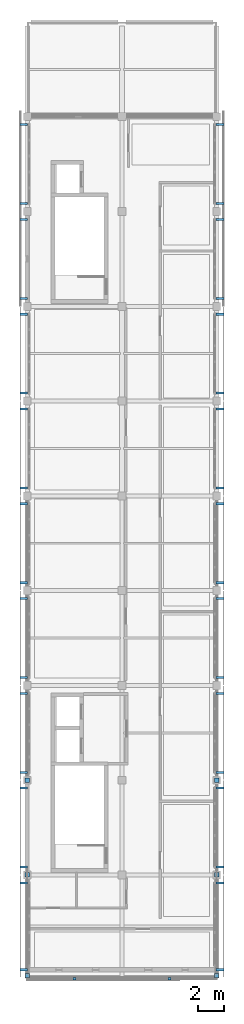
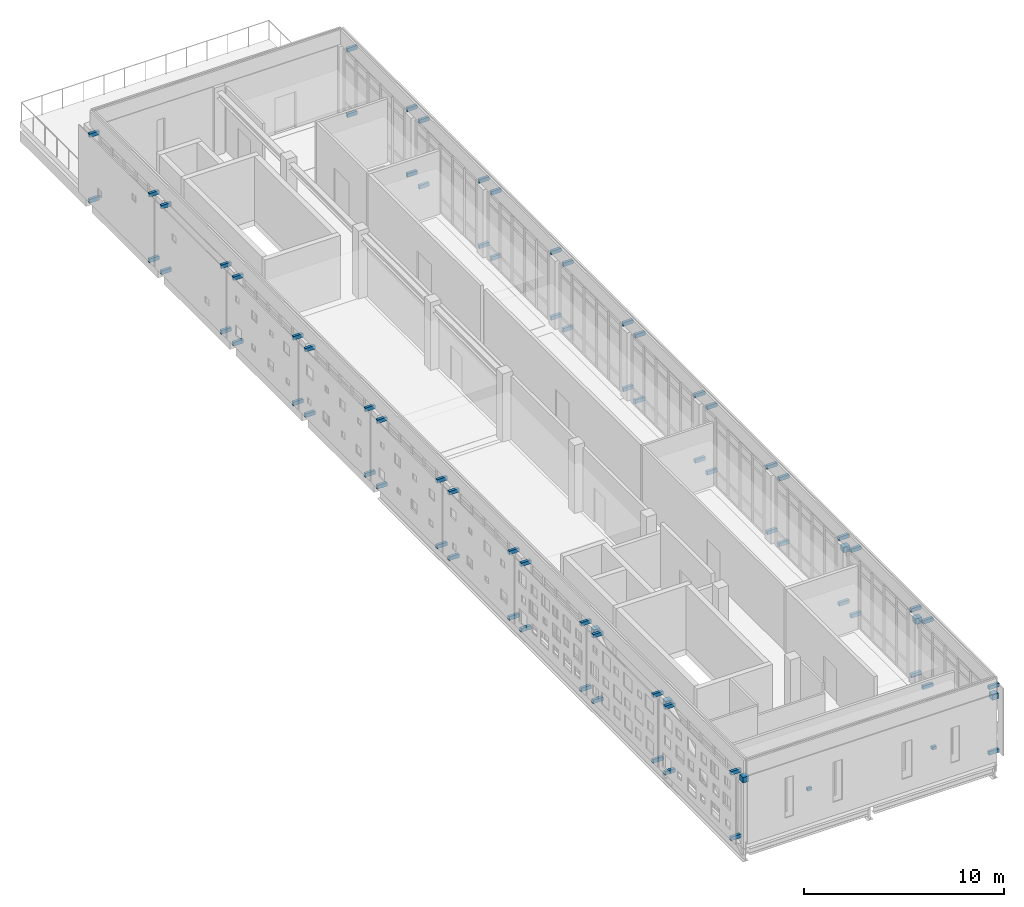
# One storey, part 17 of 19: 80 discrete accessories.
"""IFC4 building model written with IfcOpenShell, lengths in metres."""

from ifc_helpers import new_model, si_unit, direction, frame, origin, origin_2d, place, context, subcontext, project, spatial, rectangle, extrude, material, type_object, element, save


model = new_model("IFC4")

# Units and contexts
model_context = context("Model", 3, precision=1e-05, world=origin(), true_north=direction((0.0, 1.0)))
body_context = subcontext(model_context, "Body", "Model", "MODEL_VIEW")
ifc_project = project(units=[si_unit("LENGTHUNIT", "METRE"), si_unit("AREAUNIT", "SQUARE_METRE"), si_unit("VOLUMEUNIT", "CUBIC_METRE"), si_unit("PLANEANGLEUNIT", "RADIAN"), si_unit("MASSUNIT", "GRAM", prefix="KILO")], contexts=[model_context])

# Site, building, storey
site_placement = place(None, origin())
site = spatial("IfcSite", under=ifc_project, at=site_placement, CompositionType="ELEMENT")
building_placement = place(site_placement, origin())
building = spatial("IfcBuilding", under=site, at=building_placement, Name="Valkovuoma Quantum and Materials Research Institute", CompositionType="ELEMENT")
storey_placement = place(building_placement, frame((0.0, 0.0, 38.080078125)))
storey = spatial("IfcBuildingStorey", under=building, at=storey_placement, Name="L09", CompositionType="ELEMENT", Elevation=38.080078125)

# Discrete accessories
ifc_material_1 = material(Name="Steel S355J2", Category="steel")
discrete_accessory_type_1 = type_object("IfcDiscreteAccessoryType", Name="Brk-BRK-01", PredefinedType="BRACKET", material=ifc_material_1)
for number, where, z_axis, x_axis, name in (
    (1, (3.60009765625, 20.919921875, 1.98974609375), (0.0, 0.0, 1.0), (0.0, 1.0, 0.0), "L09 south end skin bracket 1"),
    (2, (10.800048828125, 20.919921875, 1.98974609375), (0.0, 0.0, 1.0), (0.0, 1.0, 0.0), "L09 south end skin bracket 2"),
):
    element("IfcDiscreteAccessory", number, at=place(storey_placement, frame(where, z_axis=z_axis, x_axis=x_axis)), inside=storey, type_object=discrete_accessory_type_1, Name=name, PredefinedType="BRACKET", context=body_context, shape_type="SweptSolid", body=[
        extrude(rectangle(XDim=0.159912109375, YDim=0.239990234375, at=origin_2d()), origin(), (0.0, 0.0, 1.0), 0.179931640625),
    ])
for number, where, z_axis, x_axis, name in (
    (3, (-0.25, 21.60009765625, -0.0302734375), (0.0, 0.0, 1.0), (1.0, 0.0, 0.0), "L09 screen bracket 00541"),
    (4, (-0.25, 28.199951171875, -0.0302734375), (0.0, 0.0, 1.0), (1.0, 0.0, 0.0), "L09 screen bracket 00542"),
    (5, (-0.25, 21.60009765625, 3.9697265625), (0.0, 0.0, 1.0), (1.0, 0.0, 0.0), "L09 screen bracket 00543"),
    (6, (-0.25, 28.199951171875, 3.9697265625), (0.0, 0.0, 1.0), (1.0, 0.0, 0.0), "L09 screen bracket 00544"),
    (7, (14.64990234375, 21.60009765625, -0.0302734375), (0.0, 0.0, 1.0), (1.0, 0.0, 0.0), "L09 screen bracket 00545"),
    (8, (14.64990234375, 28.199951171875, -0.0302734375), (0.0, 0.0, 1.0), (1.0, 0.0, 0.0), "L09 screen bracket 00546"),
    (9, (14.64990234375, 21.60009765625, 3.9697265625), (0.0, 0.0, 1.0), (1.0, 0.0, 0.0), "L09 screen bracket 00547"),
    (10, (14.64990234375, 28.199951171875, 3.9697265625), (0.0, 0.0, 1.0), (1.0, 0.0, 0.0), "L09 screen bracket 00548"),
    (11, (-0.25, 29.39990234375, -0.0302734375), (0.0, 0.0, 1.0), (1.0, 0.0, 0.0), "L09 screen bracket 00549"),
    (12, (-0.25, 35.39990234375, -0.0302734375), (0.0, 0.0, 1.0), (1.0, 0.0, 0.0), "L09 screen bracket 00550"),
    (13, (-0.25, 29.39990234375, 3.9697265625), (0.0, 0.0, 1.0), (1.0, 0.0, 0.0), "L09 screen bracket 00551"),
    (14, (-0.25, 35.39990234375, 3.9697265625), (0.0, 0.0, 1.0), (1.0, 0.0, 0.0), "L09 screen bracket 00552"),
    (15, (14.64990234375, 29.39990234375, -0.0302734375), (0.0, 0.0, 1.0), (1.0, 0.0, 0.0), "L09 screen bracket 00553"),
    (16, (14.64990234375, 35.39990234375, -0.0302734375), (0.0, 0.0, 1.0), (1.0, 0.0, 0.0), "L09 screen bracket 00554"),
    (17, (14.64990234375, 29.39990234375, 3.9697265625), (0.0, 0.0, 1.0), (1.0, 0.0, 0.0), "L09 screen bracket 00555"),
    (18, (14.64990234375, 35.39990234375, 3.9697265625), (0.0, 0.0, 1.0), (1.0, 0.0, 0.0), "L09 screen bracket 00556"),
    (19, (-0.25, 36.60009765625, -0.0302734375), (0.0, 0.0, 1.0), (1.0, 0.0, 0.0), "L09 screen bracket 00557"),
    (20, (-0.25, 42.60009765625, -0.0302734375), (0.0, 0.0, 1.0), (1.0, 0.0, 0.0), "L09 screen bracket 00558"),
    (21, (-0.25, 36.60009765625, 3.9697265625), (0.0, 0.0, 1.0), (1.0, 0.0, 0.0), "L09 screen bracket 00559"),
    (22, (-0.25, 42.60009765625, 3.9697265625), (0.0, 0.0, 1.0), (1.0, 0.0, 0.0), "L09 screen bracket 00560"),
    (23, (14.64990234375, 36.60009765625, -0.0302734375), (0.0, 0.0, 1.0), (1.0, 0.0, 0.0), "L09 screen bracket 00561"),
    (24, (14.64990234375, 42.60009765625, -0.0302734375), (0.0, 0.0, 1.0), (1.0, 0.0, 0.0), "L09 screen bracket 00562"),
    (25, (14.64990234375, 36.60009765625, 3.9697265625), (0.0, 0.0, 1.0), (1.0, 0.0, 0.0), "L09 screen bracket 00563"),
    (26, (14.64990234375, 42.60009765625, 3.9697265625), (0.0, 0.0, 1.0), (1.0, 0.0, 0.0), "L09 screen bracket 00564"),
    (27, (-0.25, 43.800048828125, -0.0302734375), (0.0, 0.0, 1.0), (1.0, 0.0, 0.0), "L09 screen bracket 00565"),
    (28, (-0.25, 49.800048828125, -0.0302734375), (0.0, 0.0, 1.0), (1.0, 0.0, 0.0), "L09 screen bracket 00566"),
    (29, (-0.25, 43.800048828125, 3.9697265625), (0.0, 0.0, 1.0), (1.0, 0.0, 0.0), "L09 screen bracket 00567"),
    (30, (-0.25, 49.800048828125, 3.9697265625), (0.0, 0.0, 1.0), (1.0, 0.0, 0.0), "L09 screen bracket 00568"),
    (31, (14.64990234375, 43.800048828125, -0.0302734375), (0.0, 0.0, 1.0), (1.0, 0.0, 0.0), "L09 screen bracket 00569"),
    (32, (14.64990234375, 49.800048828125, -0.0302734375), (0.0, 0.0, 1.0), (1.0, 0.0, 0.0), "L09 screen bracket 00570"),
    (33, (14.64990234375, 43.800048828125, 3.9697265625), (0.0, 0.0, 1.0), (1.0, 0.0, 0.0), "L09 screen bracket 00571"),
    (34, (14.64990234375, 49.800048828125, 3.9697265625), (0.0, 0.0, 1.0), (1.0, 0.0, 0.0), "L09 screen bracket 00572"),
    (35, (-0.25, 51.0, -0.0302734375), (0.0, 0.0, 1.0), (1.0, 0.0, 0.0), "L09 screen bracket 00573"),
    (36, (-0.25, 57.0, -0.0302734375), (0.0, 0.0, 1.0), (1.0, 0.0, 0.0), "L09 screen bracket 00574"),
    (37, (-0.25, 51.0, 3.9697265625), (0.0, 0.0, 1.0), (1.0, 0.0, 0.0), "L09 screen bracket 00575"),
    (38, (-0.25, 57.0, 3.9697265625), (0.0, 0.0, 1.0), (1.0, 0.0, 0.0), "L09 screen bracket 00576"),
    (39, (14.64990234375, 51.0, -0.0302734375), (0.0, 0.0, 1.0), (1.0, 0.0, 0.0), "L09 screen bracket 00577"),
    (40, (14.64990234375, 57.0, -0.0302734375), (0.0, 0.0, 1.0), (1.0, 0.0, 0.0), "L09 screen bracket 00578"),
    (41, (14.64990234375, 51.0, 3.9697265625), (0.0, 0.0, 1.0), (1.0, 0.0, 0.0), "L09 screen bracket 00579"),
    (42, (14.64990234375, 57.0, 3.9697265625), (0.0, 0.0, 1.0), (1.0, 0.0, 0.0), "L09 screen bracket 00580"),
    (43, (-0.25, 58.199951171875, -0.0302734375), (0.0, 0.0, 1.0), (1.0, 0.0, 0.0), "L09 screen bracket 00581"),
    (44, (-0.25, 64.199951171875, -0.0302734375), (0.0, 0.0, 1.0), (1.0, 0.0, 0.0), "L09 screen bracket 00582"),
    (45, (-0.25, 58.199951171875, 3.9697265625), (0.0, 0.0, 1.0), (1.0, 0.0, 0.0), "L09 screen bracket 00583"),
    (46, (-0.25, 64.199951171875, 3.9697265625), (0.0, 0.0, 1.0), (1.0, 0.0, 0.0), "L09 screen bracket 00584"),
    (47, (14.64990234375, 58.199951171875, -0.0302734375), (0.0, 0.0, 1.0), (1.0, 0.0, 0.0), "L09 screen bracket 00585"),
    (48, (14.64990234375, 64.199951171875, -0.0302734375), (0.0, 0.0, 1.0), (1.0, 0.0, 0.0), "L09 screen bracket 00586"),
    (49, (14.64990234375, 58.199951171875, 3.9697265625), (0.0, 0.0, 1.0), (1.0, 0.0, 0.0), "L09 screen bracket 00587"),
    (50, (14.64990234375, 64.199951171875, 3.9697265625), (0.0, 0.0, 1.0), (1.0, 0.0, 0.0), "L09 screen bracket 00588"),
    (51, (-0.25, 65.39990234375, -0.0302734375), (0.0, 0.0, 1.0), (1.0, 0.0, 0.0), "L09 screen bracket 00589"),
    (52, (-0.25, 71.39990234375, -0.0302734375), (0.0, 0.0, 1.0), (1.0, 0.0, 0.0), "L09 screen bracket 00590"),
    (53, (-0.25, 65.39990234375, 3.9697265625), (0.0, 0.0, 1.0), (1.0, 0.0, 0.0), "L09 screen bracket 00591"),
    (54, (-0.25, 71.39990234375, 3.9697265625), (0.0, 0.0, 1.0), (1.0, 0.0, 0.0), "L09 screen bracket 00592"),
    (55, (14.64990234375, 65.39990234375, -0.0302734375), (0.0, 0.0, 1.0), (1.0, 0.0, 0.0), "L09 screen bracket 00593"),
    (56, (14.64990234375, 71.39990234375, -0.0302734375), (0.0, 0.0, 1.0), (1.0, 0.0, 0.0), "L09 screen bracket 00594"),
    (57, (14.64990234375, 65.39990234375, 3.9697265625), (0.0, 0.0, 1.0), (1.0, 0.0, 0.0), "L09 screen bracket 00595"),
    (58, (14.64990234375, 71.39990234375, 3.9697265625), (0.0, 0.0, 1.0), (1.0, 0.0, 0.0), "L09 screen bracket 00596"),
    (59, (-0.25, 72.60009765625, -0.0302734375), (0.0, 0.0, 1.0), (1.0, 0.0, 0.0), "L09 screen bracket 00597"),
    (60, (-0.25, 78.60009765625, -0.0302734375), (0.0, 0.0, 1.0), (1.0, 0.0, 0.0), "L09 screen bracket 00598"),
    (61, (-0.25, 72.60009765625, 3.9697265625), (0.0, 0.0, 1.0), (1.0, 0.0, 0.0), "L09 screen bracket 00599"),
    (62, (-0.25, 78.60009765625, 3.9697265625), (0.0, 0.0, 1.0), (1.0, 0.0, 0.0), "L09 screen bracket 00600"),
    (63, (14.64990234375, 72.60009765625, -0.0302734375), (0.0, 0.0, 1.0), (1.0, 0.0, 0.0), "L09 screen bracket 00601"),
    (64, (14.64990234375, 78.60009765625, -0.0302734375), (0.0, 0.0, 1.0), (1.0, 0.0, 0.0), "L09 screen bracket 00602"),
    (65, (14.64990234375, 72.60009765625, 3.9697265625), (0.0, 0.0, 1.0), (1.0, 0.0, 0.0), "L09 screen bracket 00603"),
    (66, (14.64990234375, 78.60009765625, 3.9697265625), (0.0, 0.0, 1.0), (1.0, 0.0, 0.0), "L09 screen bracket 00604"),
    (67, (-0.25, 79.800048828125, -0.0302734375), (0.0, 0.0, 1.0), (1.0, 0.0, 0.0), "L09 screen bracket 00605"),
    (68, (-0.25, 85.800048828125, -0.0302734375), (0.0, 0.0, 1.0), (1.0, 0.0, 0.0), "L09 screen bracket 00606"),
    (69, (-0.25, 79.800048828125, 3.9697265625), (0.0, 0.0, 1.0), (1.0, 0.0, 0.0), "L09 screen bracket 00607"),
    (70, (-0.25, 85.800048828125, 3.9697265625), (0.0, 0.0, 1.0), (1.0, 0.0, 0.0), "L09 screen bracket 00608"),
    (71, (14.64990234375, 79.800048828125, -0.0302734375), (0.0, 0.0, 1.0), (1.0, 0.0, 0.0), "L09 screen bracket 00609"),
    (72, (14.64990234375, 85.800048828125, -0.0302734375), (0.0, 0.0, 1.0), (1.0, 0.0, 0.0), "L09 screen bracket 00610"),
    (73, (14.64990234375, 79.800048828125, 3.9697265625), (0.0, 0.0, 1.0), (1.0, 0.0, 0.0), "L09 screen bracket 00611"),
    (74, (14.64990234375, 85.800048828125, 3.9697265625), (0.0, 0.0, 1.0), (1.0, 0.0, 0.0), "L09 screen bracket 00612"),
):
    element("IfcDiscreteAccessory", number, at=place(storey_placement, frame(where, z_axis=z_axis, x_axis=x_axis)), inside=storey, type_object=discrete_accessory_type_1, Name=name, PredefinedType="BRACKET", context=body_context, shape_type="SweptSolid", body=[
        extrude(rectangle(XDim=0.580078125, YDim=0.159912109375, at=origin_2d()), origin(), (0.0, 0.0, 1.0), 0.219970703125),
    ])
ifc_material_2 = material(Name="Steel S355J2", Category="steel")
discrete_accessory_type_2 = type_object("IfcDiscreteAccessoryType", Name="Conn-END-01", PredefinedType="BRACKET", material=ifc_material_2)
for number, where, z_axis, x_axis, name in (
    (75, (0.0, 21.14990234375, 3.68994140625), (0.0, 0.0, 1.0), (1.0, 0.0, 0.0), "L09 brace end connection assembly 0039"),
    (76, (0.0, 28.800048828125, 3.68994140625), (0.0, 0.0, 1.0), (1.0, 0.0, 0.0), "L09 brace end connection assembly 0040"),
    (77, (0.0, 36.0, 3.68994140625), (0.0, 0.0, 1.0), (1.0, 0.0, 0.0), "L09 brace end connection assembly 0041"),
    (78, (14.39990234375, 21.14990234375, 3.68994140625), (0.0, 0.0, 1.0), (1.0, 0.0, 0.0), "L09 brace end connection assembly 0042"),
    (79, (14.39990234375, 28.800048828125, 3.68994140625), (0.0, 0.0, 1.0), (1.0, 0.0, 0.0), "L09 brace end connection assembly 0043"),
    (80, (14.39990234375, 36.0, 3.68994140625), (0.0, 0.0, 1.0), (1.0, 0.0, 0.0), "L09 brace end connection assembly 0044"),
):
    element("IfcDiscreteAccessory", number, at=place(storey_placement, frame(where, z_axis=z_axis, x_axis=x_axis)), inside=storey, type_object=discrete_accessory_type_2, Name=name, PredefinedType="BRACKET", context=body_context, shape_type="SweptSolid", body=[
        extrude(rectangle(XDim=0.340087890625, YDim=0.340087890625, at=origin_2d()), origin(), (0.0, 0.0, 1.0), 0.340087890625),
    ])

save(model, "model.ifc")
